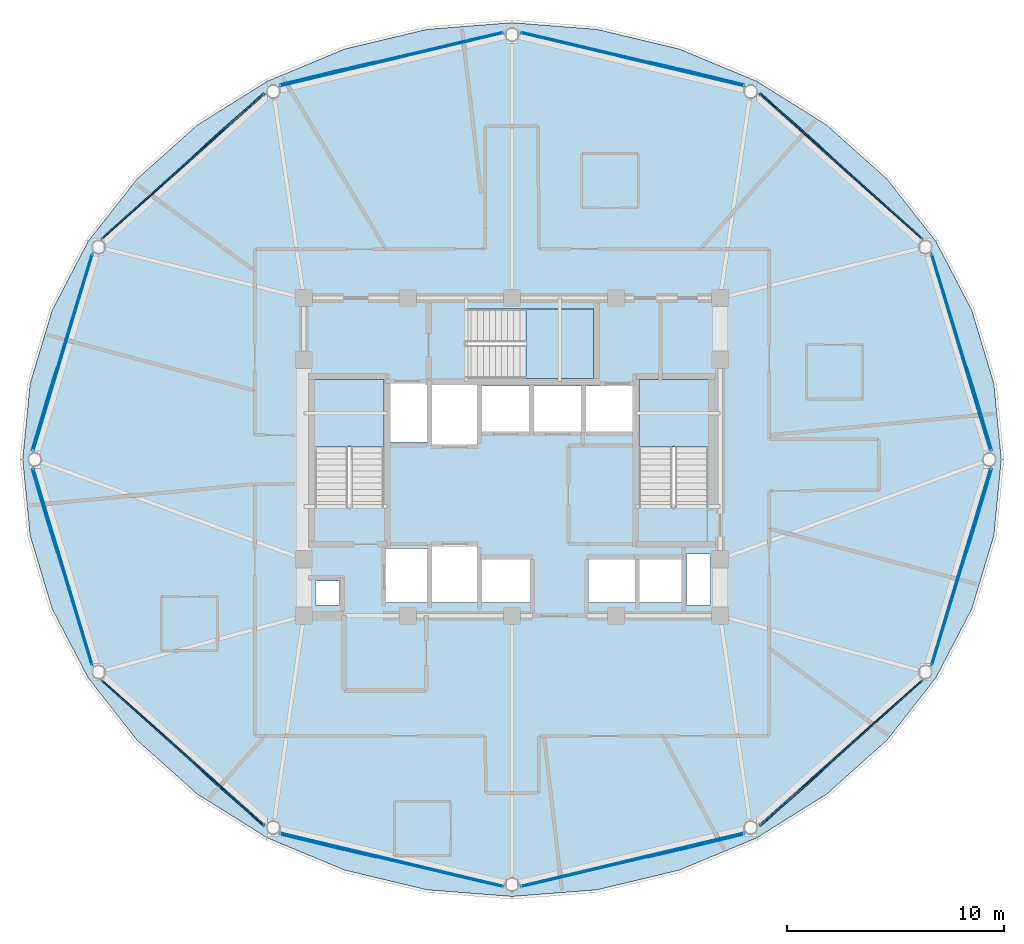
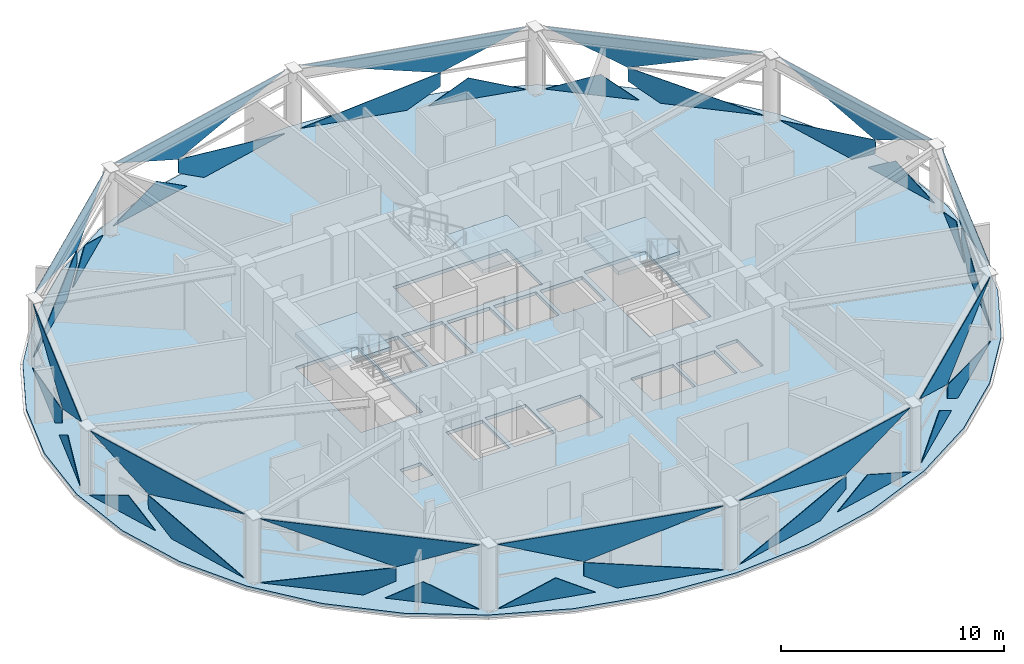
# One storey, part 20 of 28: 36 plates, 4 slabs, 15 elements without a shape of their own.
"""IFC4 building model written with IfcOpenShell, lengths in metres."""

from ifc_helpers import new_model, si_unit, direction, frame, origin, place, context, subcontext, project, spatial, polyline, outline, extrude, material, layer, layer_set, type_object, element, aggregate, save


model = new_model("IFC4")

# Units and contexts
model_context = context("Model", 3, precision=1e-05, world=origin(), true_north=direction((0.0, 1.0)))
body_context = subcontext(model_context, "Body", "Model", "MODEL_VIEW")
ifc_project = project(units=[si_unit("LENGTHUNIT", "METRE"), si_unit("AREAUNIT", "SQUARE_METRE"), si_unit("VOLUMEUNIT", "CUBIC_METRE"), si_unit("PLANEANGLEUNIT", "RADIAN"), si_unit("MASSUNIT", "GRAM", prefix="KILO")], contexts=[model_context])

# Site, building, storey
site_placement = place(None, origin())
site = spatial("IfcSite", under=ifc_project, at=site_placement, CompositionType="ELEMENT")
building_placement = place(site_placement, origin())
building = spatial("IfcBuilding", under=site, at=building_placement, Name="Vantalir Tower", CompositionType="ELEMENT")
storey_placement = place(building_placement, frame((0.0, 0.0, 223.64990234375)))
storey = spatial("IfcBuildingStorey", under=building, at=storey_placement, Name="L56", CompositionType="ELEMENT", Elevation=223.64990234375)

# Curtain wall, plates
ifc_material_1 = material(Name="Champagne-silver PVDF aluminium and double-silver Low-E glass", Category="aluminium")
ifc_layer_1 = layer(ifc_material_1, 0.2099609375)
ifc_layer_set_1 = layer_set([ifc_layer_1], Name="Champagne-silver PVDF aluminium and double-silver Low-E glass")
curtain_wall_type = type_object("IfcCurtainWallType", Name="CW-DIAMOND-Z3", PredefinedType="USERDEFINED", material=ifc_layer_set_1)
curtain_wall_1_placement = place(storey_placement, origin())
curtain_wall_1 = element("IfcCurtainWall", 1, at=curtain_wall_1_placement, inside=storey, type_object=curtain_wall_type, Name="L56 Quilted Pyramid-Diamond Curtain Wall S01", ObjectType="UNITISED CURTAIN WALL", PredefinedType="USERDEFINED")
ifc_material_2 = material(Name="Double-silver Low-E acoustic glass IGU", Category="glass")
ifc_layer_2 = layer(ifc_material_2, 0.031982421875)
ifc_layer_set_2 = layer_set([ifc_layer_2], Name="Double-silver Low-E acoustic glass IGU")
plate_type = type_object("IfcPlateType", Name="CWP-IGU-32", PredefinedType="CURTAIN_PANEL", material=ifc_layer_set_2)
plate_1_placement = place(storey_placement, frame((52.13330078125, 30.2197265625, 0.046875), z_axis=(-0.957549259228, -0.28794301312, 0.013719961632), x_axis=(-0.287970118919, 0.957639394872, -8.812e-08)))
plate_1 = element("IfcPlate", 2, at=plate_1_placement, type_object=plate_type, Name="CW-L56-S01 Pyramid Diamond Facet 1L", PredefinedType="CURTAIN_PANEL", context=body_context, shape_type="SweptSolid", body=[
    extrude(outline(polyline([(0.0, 0.0), (4.455085791088391, 6.938893903907228e-18), (-1.4210175408101609, -1.7257482450597528), (-1.4210108514881088, -0.9847113069060753), (0.0, 0.0)])), origin(), (0.0, 0.0, -1.0), 0.031982421875),
])
plate_2_placement = place(storey_placement, frame((53.615234375, 25.417236328125, 0.046630859375), z_axis=(-0.957539275138, -0.287976355305, 0.013716973228), x_axis=(-0.288004240632, 0.957629131639, -6.0126146e-05)))
plate_2 = element("IfcPlate", 3, at=plate_2_placement, type_object=plate_type, Name="CW-L56-S01 Pyramid Diamond Facet 1L Infill Light", PredefinedType="CURTAIN_PANEL", context=body_context, shape_type="SweptSolid", body=[
    extrude(outline(polyline([(0.0, 0.0), (4.060473523525598, -1.7889335846010823e-18), (2.401337993481298, -1.1496666108302322), (0.0, 0.0)])), origin(), (0.0, 0.0, -1.0), 0.031982421875),
])
plate_3_placement = place(storey_placement, frame((50.850341796875, 34.486083984375, 3.5234375), z_axis=(0.95754759565, 0.287948828874, 0.013714007971), x_axis=(0.287976248669, -0.957637551237, -2.5751252e-05)))
plate_3 = element("IfcPlate", 4, at=plate_3_placement, type_object=plate_type, Name="CW-L56-S01 Pyramid Diamond Facet 2U", PredefinedType="CURTAIN_PANEL", context=body_context, shape_type="SweptSolid", body=[
    extrude(outline(polyline([(0.0, 0.0), (9.48072843506402, 5.366800753803247e-18), (5.876147771796704, 1.725841061096488), (0.0, 0.0)])), origin(), (0.0, 0.0, -1.0), 0.031982421875),
])
aggregate(curtain_wall_1, [plate_1, plate_2, plate_3])

curtain_wall_2_placement = place(storey_placement, origin())
curtain_wall_2 = element("IfcCurtainWall", 5, at=curtain_wall_2_placement, inside=storey, type_object=curtain_wall_type, Name="L56 Quilted Pyramid-Diamond Curtain Wall S02", ObjectType="UNITISED CURTAIN WALL", PredefinedType="USERDEFINED")
plate_4_placement = place(storey_placement, frame((50.410888671875, 35.17578125, 0.046630859375), z_axis=(-0.665239027043, -0.746500566399, 0.013926279678), x_axis=(-0.746572486024, 0.665304081187, 5.1644349e-05)))
plate_4 = element("IfcPlate", 6, at=plate_4_placement, type_object=plate_type, Name="CW-L56-S02 Pyramid Diamond Facet 1L", PredefinedType="CURTAIN_PANEL", context=body_context, shape_type="SweptSolid", body=[
    extrude(outline(polyline([(0.0, 0.0), (4.725364533238083, -4.716279450311944e-18), (6.21536592625353, -0.979998657852049), (6.21549861045177, -1.725920495140374), (0.0, 0.0)])), origin(), (0.0, 0.0, -1.0), 0.031982421875),
])
plate_5_placement = place(storey_placement, frame((46.160400390625, 39.011962890625, 0.04638671875), z_axis=(-0.665256465649, -0.746487542943, 0.013790690437), x_axis=(-0.746558537743, 0.665319734957, 0.0)))
plate_5 = element("IfcPlate", 7, at=plate_5_placement, type_object=plate_type, Name="CW-L56-S02 Pyramid Diamond Facet 1L Infill Light", PredefinedType="CURTAIN_PANEL", context=body_context, shape_type="SweptSolid", body=[
    extrude(outline(polyline([(0.0, 0.0), (4.309488129323811, -3.469446951953614e-18), (1.7552496616833824, -1.154406654562577), (0.0, 0.0)])), origin(), (0.0, 0.0, -1.0), 0.031982421875),
])
plate_6_placement = place(storey_placement, frame((42.919189453125, 41.852294921875, 3.523193359375), z_axis=(0.665258273059, 0.746485142811, 0.013833354221), x_axis=(0.746556353236, -0.66532218575, 2.4328891e-05)))
plate_6 = element("IfcPlate", 8, at=plate_6_placement, type_object=plate_type, Name="CW-L56-S02 Pyramid Diamond Facet 2U", PredefinedType="CURTAIN_PANEL", context=body_context, shape_type="SweptSolid", body=[
    extrude(outline(polyline([(0.0, 0.0), (10.035008323591855, 7.968885967768458e-18), (3.819556274349777, 1.7260881656797926), (0.0, 0.0)])), origin(), (0.0, 0.0, -1.0), 0.031982421875),
])
aggregate(curtain_wall_2, [plate_4, plate_5, plate_6])

curtain_wall_3_placement = place(storey_placement, origin())
curtain_wall_3 = element("IfcCurtainWall", 9, at=curtain_wall_3_placement, inside=storey, type_object=curtain_wall_type, Name="L56 Quilted Pyramid-Diamond Curtain Wall S03", ObjectType="UNITISED CURTAIN WALL", PredefinedType="USERDEFINED")
plate_7_placement = place(storey_placement, frame((36.759765625, 43.530029296875, 0.046630859375), z_axis=(-0.232236849002, -0.972561814595, 0.013768179134), x_axis=(-0.972654008864, 0.232258862137, -1.2864e-07)))
plate_7 = element("IfcPlate", 10, at=plate_7_placement, type_object=plate_type, Name="CW-L56-S03 Pyramid Diamond Facet 1L", PredefinedType="CURTAIN_PANEL", context=body_context, shape_type="SweptSolid", body=[
    extrude(outline(polyline([(0.0, 0.0), (4.982681088008925, 1.734723475976807e-18), (-1.5648598381094934, -1.7264818041514396), (-1.564809955486669, -0.9815375061146213), (0.0, 0.0)])), origin(), (0.0, 0.0, -1.0), 0.031982421875),
])
plate_8_placement = place(storey_placement, frame((42.197021484375, 42.268798828125, 0.04638671875), z_axis=(-0.23220338796, -0.9725697972, 0.013768667146), x_axis=(-0.97266199835, 0.232225401207, 0.0)))
plate_8 = element("IfcPlate", 11, at=plate_8_placement, type_object=plate_type, Name="CW-L56-S03 Pyramid Diamond Facet 1L Infill Light", PredefinedType="CURTAIN_PANEL", context=body_context, shape_type="SweptSolid", body=[
    extrude(outline(polyline([(0.0, 0.0), (4.546910878987019, -1.734723475976807e-18), (2.6980729236971404, -1.1595337433320787), (0.0, 0.0)])), origin(), (0.0, 0.0, -1.0), 0.031982421875),
])
plate_9_placement = place(storey_placement, frame((31.913330078125, 44.687255859375, 3.523681640625), z_axis=(0.23223400576, 0.972562293746, 0.013782284014), x_axis=(0.972654750392, -0.232255755594, -2.3110025e-05)))
plate_9 = element("IfcPlate", 12, at=plate_9_placement, type_object=plate_type, Name="CW-L56-S03 Pyramid Diamond Facet 2U", PredefinedType="CURTAIN_PANEL", context=body_context, shape_type="SweptSolid", body=[
    extrude(outline(polyline([(0.0, 0.0), (10.56427331575007, -5.068645156369733e-18), (6.547580679232888, 1.7265751761380799), (0.0, 0.0)])), origin(), (0.0, 0.0, -1.0), 0.031982421875),
])
aggregate(curtain_wall_3, [plate_7, plate_8, plate_9])

curtain_wall_4_placement = place(storey_placement, origin())
curtain_wall_4 = element("IfcCurtainWall", 13, at=curtain_wall_4_placement, inside=storey, type_object=curtain_wall_type, Name="L56 Quilted Pyramid-Diamond Curtain Wall S04", ObjectType="UNITISED CURTAIN WALL", PredefinedType="USERDEFINED")
plate_10_placement = place(storey_placement, frame((31.086669921875, 44.687255859375, 0.046630859375), z_axis=(0.232260585821, -0.972556298401, 0.013757423975), x_axis=(-0.972648348217, -0.232282566524, 1.50681e-07)))
plate_10 = element("IfcPlate", 14, at=plate_10_placement, type_object=plate_type, Name="CW-L56-S04 Pyramid Diamond Facet 1L", PredefinedType="CURTAIN_PANEL", context=body_context, shape_type="SweptSolid", body=[
    extrude(outline(polyline([(0.0, 0.0), (4.982206159443448, -1.734723475976807e-18), (6.546778344908111, -0.9815372165805277), (6.54682799285325, -1.7264815140890901), (0.0, 0.0)])), origin(), (0.0, 0.0, -1.0), 0.031982421875),
])
plate_11_placement = place(storey_placement, frame((25.226318359375, 43.32470703125, 0.04638671875), z_axis=(0.232215451979, -0.972566635179, 0.01378854589), x_axis=(-0.972659102493, -0.232237529992, 0.0)))
plate_11 = element("IfcPlate", 15, at=plate_11_placement, type_object=plate_type, Name="CW-L56-S04 Pyramid Diamond Facet 1L Infill Light", PredefinedType="CURTAIN_PANEL", context=body_context, shape_type="SweptSolid", body=[
    extrude(outline(polyline([(0.0, 0.0), (4.546673413032317, 0.0), (1.848837756064453, -1.159534060990327), (0.0, 0.0)])), origin(), (0.0, 0.0, -1.0), 0.031982421875),
])
plate_12_placement = place(storey_placement, frame((20.812255859375, 42.233642578125, 3.5234375), z_axis=(-0.232254942621, 0.972557536325, 0.013765179482), x_axis=(0.972649763247, 0.232276640068, 2.3112103e-05)))
plate_12 = element("IfcPlate", 16, at=plate_12_placement, type_object=plate_type, Name="CW-L56-S04 Pyramid Diamond Facet 2U", PredefinedType="CURTAIN_PANEL", context=body_context, shape_type="SweptSolid", body=[
    extrude(outline(polyline([(0.0, 0.0), (10.563323460030409, 5.095750210681871e-18), (4.016455679625787, 1.7265747721621998), (0.0, 0.0)])), origin(), (0.0, 0.0, -1.0), 0.031982421875),
])
aggregate(curtain_wall_4, [plate_10, plate_11, plate_12])

curtain_wall_5_placement = place(storey_placement, origin())
curtain_wall_5 = element("IfcCurtainWall", 17, at=curtain_wall_5_placement, inside=storey, type_object=curtain_wall_type, Name="L56 Quilted Pyramid-Diamond Curtain Wall S05", ObjectType="UNITISED CURTAIN WALL", PredefinedType="USERDEFINED")
plate_13_placement = place(storey_placement, frame((16.1171875, 38.319580078125, 0.046875), z_axis=(0.665198217346, -0.746539520841, 0.013786785772), x_axis=(-0.746610002885, -0.665261979143, -5.1946189e-05)))
plate_13 = element("IfcPlate", 18, at=plate_13_placement, type_object=plate_type, Name="CW-L56-S05 Pyramid Diamond Facet 1L", PredefinedType="CURTAIN_PANEL", context=body_context, shape_type="SweptSolid", body=[
    extrude(outline(polyline([(0.0, 0.0), (4.725546803971078, -1.1872013788716274e-17), (-1.4904977959839736, -1.7259166897748341), (-1.4903654720437784, -0.9799948586575861), (0.0, 0.0)])), origin(), (0.0, 0.0, -1.0), 0.031982421875),
])
plate_14_placement = place(storey_placement, frame((20.057861328125, 41.879150390625, 0.04638671875), z_axis=(0.66520043494, -0.746537954063, 0.013764610401), x_axis=(-0.746608685333, -0.66526345983, 0.0)))
plate_14 = element("IfcPlate", 19, at=plate_14_placement, type_object=plate_type, Name="CW-L56-S05 Pyramid Diamond Facet 1L Infill Light", PredefinedType="CURTAIN_PANEL", context=body_context, shape_type="SweptSolid", body=[
    extrude(outline(polyline([(0.0, 0.0), (4.3098526721034, 0.0), (2.554421937899786, -1.154406239680626), (0.0, 0.0)])), origin(), (0.0, 0.0, -1.0), 0.031982421875),
])
plate_15_placement = place(storey_placement, frame((12.589111328125, 35.17578125, 3.5234375), z_axis=(-0.665210395641, 0.746528717096, 0.013784196817), x_axis=(0.746599425628, 0.665273851178, -2.4327124e-05)))
plate_15 = element("IfcPlate", 20, at=plate_15_placement, type_object=plate_type, Name="CW-L56-S05 Pyramid Diamond Facet 2U", PredefinedType="CURTAIN_PANEL", context=body_context, shape_type="SweptSolid", body=[
    extrude(outline(polyline([(0.0, 0.0), (10.035737403562766, -8.51098705401121e-18), (6.2159973130460155, 1.7260869915024741), (0.0, 0.0)])), origin(), (0.0, 0.0, -1.0), 0.031982421875),
])
aggregate(curtain_wall_5, [plate_13, plate_14, plate_15])

curtain_wall_6_placement = place(storey_placement, origin())
curtain_wall_6 = element("IfcCurtainWall", 21, at=curtain_wall_6_placement, inside=storey, type_object=curtain_wall_type, Name="L56 Quilted Pyramid-Diamond Curtain Wall S06", ObjectType="UNITISED CURTAIN WALL", PredefinedType="USERDEFINED")
plate_16_placement = place(storey_placement, frame((12.149658203125, 34.486083984375, 0.046875), z_axis=(0.957549259228, -0.28794301312, 0.013719961632), x_axis=(-0.287970118919, -0.957639394872, 8.812e-08)))
plate_16 = element("IfcPlate", 22, at=plate_16_placement, type_object=plate_type, Name="CW-L56-S06 Pyramid Diamond Facet 1L", PredefinedType="CURTAIN_PANEL", context=body_context, shape_type="SweptSolid", body=[
    extrude(outline(polyline([(0.0, 0.0), (4.455085791088391, -6.938893903907228e-18), (5.876096642576499, -0.9847113069060753), (5.876103331898551, -1.7257482450597528), (0.0, 0.0)])), origin(), (0.0, 0.0, -1.0), 0.031982421875),
])
plate_17_placement = place(storey_placement, frame((10.55419921875, 29.3056640625, 0.04638671875), z_axis=(0.957539275138, -0.287976355305, 0.013716973228), x_axis=(-0.288004240632, -0.957629131639, 6.0126146e-05)))
plate_17 = element("IfcPlate", 23, at=plate_17_placement, type_object=plate_type, Name="CW-L56-S06 Pyramid Diamond Facet 1L Infill Light", PredefinedType="CURTAIN_PANEL", context=body_context, shape_type="SweptSolid", body=[
    extrude(outline(polyline([(0.0, 0.0), (4.060473523525598, 1.7889335846010823e-18), (1.6591355300442994, -1.1496666108302325), (0.0, 0.0)])), origin(), (0.0, 0.0, -1.0), 0.031982421875),
])
plate_18_placement = place(storey_placement, frame((9.41943359375, 25.406982421875, 3.523193359375), z_axis=(-0.95754759565, 0.287948828874, 0.013714007971), x_axis=(0.287976248669, 0.957637551237, 2.5751252e-05)))
plate_18 = element("IfcPlate", 24, at=plate_18_placement, type_object=plate_type, Name="CW-L56-S06 Pyramid Diamond Facet 2U", PredefinedType="CURTAIN_PANEL", context=body_context, shape_type="SweptSolid", body=[
    extrude(outline(polyline([(0.0, 0.0), (9.48072843506402, -5.366800753803247e-18), (3.6045806632673156, 1.7258410610964883), (0.0, 0.0)])), origin(), (0.0, 0.0, -1.0), 0.031982421875),
])
aggregate(curtain_wall_6, [plate_16, plate_17, plate_18])

curtain_wall_7_placement = place(storey_placement, origin())
curtain_wall_7 = element("IfcCurtainWall", 25, at=curtain_wall_7_placement, inside=storey, type_object=curtain_wall_type, Name="L56 Quilted Pyramid-Diamond Curtain Wall S07", ObjectType="UNITISED CURTAIN WALL", PredefinedType="USERDEFINED")
plate_19_placement = place(storey_placement, frame((10.86669921875, 19.7802734375, 0.046875), z_axis=(0.957549259228, 0.28794301312, 0.013719961632), x_axis=(0.287970118919, -0.957639394872, -8.812e-08)))
plate_19 = element("IfcPlate", 26, at=plate_19_placement, type_object=plate_type, Name="CW-L56-S07 Pyramid Diamond Facet 1L", PredefinedType="CURTAIN_PANEL", context=body_context, shape_type="SweptSolid", body=[
    extrude(outline(polyline([(0.0, 0.0), (4.455085791088391, 6.938893903907228e-18), (-1.4210175408101609, -1.7257482450597528), (-1.4210108514881088, -0.9847113069060753), (0.0, 0.0)])), origin(), (0.0, 0.0, -1.0), 0.031982421875),
])
plate_20_placement = place(storey_placement, frame((9.384765625, 24.582763671875, 0.046630859375), z_axis=(0.957539275138, 0.287976355305, 0.013716973228), x_axis=(0.288004240632, -0.957629131639, -6.0126146e-05)))
plate_20 = element("IfcPlate", 27, at=plate_20_placement, type_object=plate_type, Name="CW-L56-S07 Pyramid Diamond Facet 1L Infill Light", PredefinedType="CURTAIN_PANEL", context=body_context, shape_type="SweptSolid", body=[
    extrude(outline(polyline([(0.0, 0.0), (4.060473523525598, -1.7889335846010823e-18), (2.401337993481298, -1.1496666108302322), (0.0, 0.0)])), origin(), (0.0, 0.0, -1.0), 0.031982421875),
])
plate_21_placement = place(storey_placement, frame((12.149658203125, 15.513916015625, 3.5234375), z_axis=(-0.95754759565, -0.287948828874, 0.013714007971), x_axis=(-0.287976248669, 0.957637551237, -2.5751252e-05)))
plate_21 = element("IfcPlate", 28, at=plate_21_placement, type_object=plate_type, Name="CW-L56-S07 Pyramid Diamond Facet 2U", PredefinedType="CURTAIN_PANEL", context=body_context, shape_type="SweptSolid", body=[
    extrude(outline(polyline([(0.0, 0.0), (9.48072843506402, 5.366800753803247e-18), (5.876147771796704, 1.725841061096488), (0.0, 0.0)])), origin(), (0.0, 0.0, -1.0), 0.031982421875),
])
aggregate(curtain_wall_7, [plate_19, plate_20, plate_21])

curtain_wall_8_placement = place(storey_placement, origin())
curtain_wall_8 = element("IfcCurtainWall", 29, at=curtain_wall_8_placement, inside=storey, type_object=curtain_wall_type, Name="L56 Quilted Pyramid-Diamond Curtain Wall S08", ObjectType="UNITISED CURTAIN WALL", PredefinedType="USERDEFINED")
plate_22_placement = place(storey_placement, frame((12.589111328125, 14.82421875, 0.046630859375), z_axis=(0.665239027043, 0.746500566399, 0.013926279678), x_axis=(0.746572486024, -0.665304081187, 5.1644349e-05)))
plate_22 = element("IfcPlate", 30, at=plate_22_placement, type_object=plate_type, Name="CW-L56-S08 Pyramid Diamond Facet 1L", PredefinedType="CURTAIN_PANEL", context=body_context, shape_type="SweptSolid", body=[
    extrude(outline(polyline([(0.0, 0.0), (4.725364533238083, -4.716279450311944e-18), (6.21536592625353, -0.979998657852049), (6.21549861045177, -1.725920495140374), (0.0, 0.0)])), origin(), (0.0, 0.0, -1.0), 0.031982421875),
])
plate_23_placement = place(storey_placement, frame((16.839599609375, 10.988037109375, 0.04638671875), z_axis=(0.665256465649, 0.746487542943, 0.013790690437), x_axis=(0.746558537743, -0.665319734957, 0.0)))
plate_23 = element("IfcPlate", 31, at=plate_23_placement, type_object=plate_type, Name="CW-L56-S08 Pyramid Diamond Facet 1L Infill Light", PredefinedType="CURTAIN_PANEL", context=body_context, shape_type="SweptSolid", body=[
    extrude(outline(polyline([(0.0, 0.0), (4.309488129323811, -3.469446951953614e-18), (1.7552496616833824, -1.154406654562577), (0.0, 0.0)])), origin(), (0.0, 0.0, -1.0), 0.031982421875),
])
plate_24_placement = place(storey_placement, frame((20.080810546875, 8.147705078125, 3.523193359375), z_axis=(-0.665258273059, -0.746485142811, 0.013833354221), x_axis=(-0.746556353236, 0.66532218575, 2.4328891e-05)))
plate_24 = element("IfcPlate", 32, at=plate_24_placement, type_object=plate_type, Name="CW-L56-S08 Pyramid Diamond Facet 2U", PredefinedType="CURTAIN_PANEL", context=body_context, shape_type="SweptSolid", body=[
    extrude(outline(polyline([(0.0, 0.0), (10.035008323591855, 7.968885967768458e-18), (3.819556274349777, 1.7260881656797926), (0.0, 0.0)])), origin(), (0.0, 0.0, -1.0), 0.031982421875),
])
aggregate(curtain_wall_8, [plate_22, plate_23, plate_24])

curtain_wall_9_placement = place(storey_placement, origin())
curtain_wall_9 = element("IfcCurtainWall", 33, at=curtain_wall_9_placement, inside=storey, type_object=curtain_wall_type, Name="L56 Quilted Pyramid-Diamond Curtain Wall S09", ObjectType="UNITISED CURTAIN WALL", PredefinedType="USERDEFINED")
plate_25_placement = place(storey_placement, frame((26.240234375, 6.469970703125, 0.046630859375), z_axis=(0.232236849002, 0.972561814595, 0.013768179134), x_axis=(0.972654008864, -0.232258862137, -1.2864e-07)))
plate_25 = element("IfcPlate", 34, at=plate_25_placement, type_object=plate_type, Name="CW-L56-S09 Pyramid Diamond Facet 1L", PredefinedType="CURTAIN_PANEL", context=body_context, shape_type="SweptSolid", body=[
    extrude(outline(polyline([(0.0, 0.0), (4.982681088008925, 1.734723475976807e-18), (-1.5648598381094934, -1.7264818041514396), (-1.564809955486669, -0.9815375061146213), (0.0, 0.0)])), origin(), (0.0, 0.0, -1.0), 0.031982421875),
])
plate_26_placement = place(storey_placement, frame((20.802978515625, 7.731201171875, 0.04638671875), z_axis=(0.23220338796, 0.9725697972, 0.013768667146), x_axis=(0.97266199835, -0.232225401207, 0.0)))
plate_26 = element("IfcPlate", 35, at=plate_26_placement, type_object=plate_type, Name="CW-L56-S09 Pyramid Diamond Facet 1L Infill Light", PredefinedType="CURTAIN_PANEL", context=body_context, shape_type="SweptSolid", body=[
    extrude(outline(polyline([(0.0, 0.0), (4.546910878987019, -1.734723475976807e-18), (2.6980729236971404, -1.1595337433320787), (0.0, 0.0)])), origin(), (0.0, 0.0, -1.0), 0.031982421875),
])
plate_27_placement = place(storey_placement, frame((31.086669921875, 5.312744140625, 3.523681640625), z_axis=(-0.23223400576, -0.972562293746, 0.013782284014), x_axis=(-0.972654750392, 0.232255755594, -2.3110025e-05)))
plate_27 = element("IfcPlate", 36, at=plate_27_placement, type_object=plate_type, Name="CW-L56-S09 Pyramid Diamond Facet 2U", PredefinedType="CURTAIN_PANEL", context=body_context, shape_type="SweptSolid", body=[
    extrude(outline(polyline([(0.0, 0.0), (10.56427331575007, -5.068645156369733e-18), (6.547580679232888, 1.7265751761380799), (0.0, 0.0)])), origin(), (0.0, 0.0, -1.0), 0.031982421875),
])
aggregate(curtain_wall_9, [plate_25, plate_26, plate_27])

curtain_wall_10_placement = place(storey_placement, origin())
curtain_wall_10 = element("IfcCurtainWall", 37, at=curtain_wall_10_placement, inside=storey, type_object=curtain_wall_type, Name="L56 Quilted Pyramid-Diamond Curtain Wall S10", ObjectType="UNITISED CURTAIN WALL", PredefinedType="USERDEFINED")
plate_28_placement = place(storey_placement, frame((31.913330078125, 5.312744140625, 0.046630859375), z_axis=(-0.232236849002, 0.972561814595, 0.013768179134), x_axis=(0.972654008864, 0.232258862137, 1.2864e-07)))
plate_28 = element("IfcPlate", 38, at=plate_28_placement, type_object=plate_type, Name="CW-L56-S10 Pyramid Diamond Facet 1L", PredefinedType="CURTAIN_PANEL", context=body_context, shape_type="SweptSolid", body=[
    extrude(outline(polyline([(0.0, 0.0), (4.982681088008925, -1.734723475976807e-18), (6.547491043495595, -0.9815375061146213), (6.547540926118419, -1.7264818041514396), (0.0, 0.0)])), origin(), (0.0, 0.0, -1.0), 0.031982421875),
])
plate_29_placement = place(storey_placement, frame((37.7744140625, 6.67529296875, 0.04638671875), z_axis=(-0.23220338796, 0.9725697972, 0.013768667146), x_axis=(0.97266199835, 0.232225401207, 0.0)))
plate_29 = element("IfcPlate", 39, at=plate_29_placement, type_object=plate_type, Name="CW-L56-S10 Pyramid Diamond Facet 1L Infill Light", PredefinedType="CURTAIN_PANEL", context=body_context, shape_type="SweptSolid", body=[
    extrude(outline(polyline([(0.0, 0.0), (4.546910878987019, 1.734723475976807e-18), (1.8488379552898784, -1.1595337433320787), (0.0, 0.0)])), origin(), (0.0, 0.0, -1.0), 0.031982421875),
])
plate_30_placement = place(storey_placement, frame((42.188720703125, 7.766357421875, 3.5234375), z_axis=(0.23223400576, -0.972562293746, 0.013782284014), x_axis=(-0.972654750392, -0.232255755594, 2.3110025e-05)))
plate_30 = element("IfcPlate", 40, at=plate_30_placement, type_object=plate_type, Name="CW-L56-S10 Pyramid Diamond Facet 2U", PredefinedType="CURTAIN_PANEL", context=body_context, shape_type="SweptSolid", body=[
    extrude(outline(polyline([(0.0, 0.0), (10.56427331575007, 5.068645156369733e-18), (4.01669263651718, 1.7265751761380799), (0.0, 0.0)])), origin(), (0.0, 0.0, -1.0), 0.031982421875),
])
aggregate(curtain_wall_10, [plate_28, plate_29, plate_30])

curtain_wall_11_placement = place(storey_placement, origin())
curtain_wall_11 = element("IfcCurtainWall", 41, at=curtain_wall_11_placement, inside=storey, type_object=curtain_wall_type, Name="L56 Quilted Pyramid-Diamond Curtain Wall S11", ObjectType="UNITISED CURTAIN WALL", PredefinedType="USERDEFINED")
plate_31_placement = place(storey_placement, frame((46.883056640625, 11.680419921875, 0.046875), z_axis=(-0.665239027043, 0.746500566399, 0.013926279678), x_axis=(0.746572486024, 0.665304081187, -5.1644349e-05)))
plate_31 = element("IfcPlate", 42, at=plate_31_placement, type_object=plate_type, Name="CW-L56-S11 Pyramid Diamond Facet 1L", PredefinedType="CURTAIN_PANEL", context=body_context, shape_type="SweptSolid", body=[
    extrude(outline(polyline([(0.0, 0.0), (4.725364533238083, 4.716279450311944e-18), (-1.4901340772136873, -1.725920495140374), (-1.4900013930154472, -0.9799986578520491), (0.0, 0.0)])), origin(), (0.0, 0.0, -1.0), 0.031982421875),
])
plate_32_placement = place(storey_placement, frame((42.943115234375, 8.120849609375, 0.04638671875), z_axis=(-0.665256465649, 0.746487542943, 0.013790690437), x_axis=(0.746558537743, 0.665319734957, 0.0)))
plate_32 = element("IfcPlate", 43, at=plate_32_placement, type_object=plate_type, Name="CW-L56-S11 Pyramid Diamond Facet 1L Infill Light", PredefinedType="CURTAIN_PANEL", context=body_context, shape_type="SweptSolid", body=[
    extrude(outline(polyline([(0.0, 0.0), (4.309488129323811, 3.469446951953614e-18), (2.5542384676404284, -1.154406654562577), (0.0, 0.0)])), origin(), (0.0, 0.0, -1.0), 0.031982421875),
])
plate_33_placement = place(storey_placement, frame((50.410888671875, 14.82421875, 3.5234375), z_axis=(0.665258273059, -0.746485142811, 0.013833354221), x_axis=(-0.746556353236, -0.66532218575, -2.4328891e-05)))
plate_33 = element("IfcPlate", 44, at=plate_33_placement, type_object=plate_type, Name="CW-L56-S11 Pyramid Diamond Facet 2U", PredefinedType="CURTAIN_PANEL", context=body_context, shape_type="SweptSolid", body=[
    extrude(outline(polyline([(0.0, 0.0), (10.035008323591855, -7.968885967768458e-18), (6.215452049242079, 1.7260881656797926), (0.0, 0.0)])), origin(), (0.0, 0.0, -1.0), 0.031982421875),
])
aggregate(curtain_wall_11, [plate_31, plate_32, plate_33])

curtain_wall_12_placement = place(storey_placement, origin())
curtain_wall_12 = element("IfcCurtainWall", 45, at=curtain_wall_12_placement, inside=storey, type_object=curtain_wall_type, Name="L56 Quilted Pyramid-Diamond Curtain Wall S12", ObjectType="UNITISED CURTAIN WALL", PredefinedType="USERDEFINED")
plate_34_placement = place(storey_placement, frame((50.850341796875, 15.513916015625, 0.046875), z_axis=(-0.957549259228, 0.28794301312, 0.013719961632), x_axis=(0.287970118919, 0.957639394872, 8.812e-08)))
plate_34 = element("IfcPlate", 46, at=plate_34_placement, type_object=plate_type, Name="CW-L56-S12 Pyramid Diamond Facet 1L", PredefinedType="CURTAIN_PANEL", context=body_context, shape_type="SweptSolid", body=[
    extrude(outline(polyline([(0.0, 0.0), (4.455085791088391, -6.938893903907228e-18), (5.876096642576499, -0.9847113069060753), (5.876103331898551, -1.7257482450597528), (0.0, 0.0)])), origin(), (0.0, 0.0, -1.0), 0.031982421875),
])
plate_35_placement = place(storey_placement, frame((52.44580078125, 20.6943359375, 0.04638671875), z_axis=(-0.957539275138, 0.287976355305, 0.013716973228), x_axis=(0.288004240632, 0.957629131639, 6.0126146e-05)))
plate_35 = element("IfcPlate", 47, at=plate_35_placement, type_object=plate_type, Name="CW-L56-S12 Pyramid Diamond Facet 1L Infill Light", PredefinedType="CURTAIN_PANEL", context=body_context, shape_type="SweptSolid", body=[
    extrude(outline(polyline([(0.0, 0.0), (4.060473523525598, 1.7889335846010823e-18), (1.6591355300442994, -1.1496666108302325), (0.0, 0.0)])), origin(), (0.0, 0.0, -1.0), 0.031982421875),
])
plate_36_placement = place(storey_placement, frame((53.58056640625, 24.593017578125, 3.523193359375), z_axis=(0.95754759565, -0.287948828874, 0.013714007971), x_axis=(-0.287976248669, -0.957637551237, 2.5751252e-05)))
plate_36 = element("IfcPlate", 48, at=plate_36_placement, type_object=plate_type, Name="CW-L56-S12 Pyramid Diamond Facet 2U", PredefinedType="CURTAIN_PANEL", context=body_context, shape_type="SweptSolid", body=[
    extrude(outline(polyline([(0.0, 0.0), (9.48072843506402, -5.366800753803247e-18), (3.6045806632673156, 1.7258410610964883), (0.0, 0.0)])), origin(), (0.0, 0.0, -1.0), 0.031982421875),
])
aggregate(curtain_wall_12, [plate_34, plate_35, plate_36])

# Stair, slab
ifc_material_3 = material(Name="Concrete C40/50", Category="concrete")
stair_type = type_object("IfcStairType", Name="STR-CORE-1450", PredefinedType="HALF_TURN_STAIR", material=ifc_material_3)
stair_1_placement = place(storey_placement, origin())
stair_1 = element("IfcStair", 49, at=stair_1_placement, inside=storey, type_object=stair_type, Name="L56 Core Exit Stair 1", PredefinedType="HALF_TURN_STAIR")
ifc_layer_3 = layer(ifc_material_3, 0.199951171875)
ifc_layer_set_3 = layer_set([ifc_layer_3], Name="Concrete C40/50")
slab_type_1 = type_object("IfcSlabType", Name="SL-LAND-200", PredefinedType="LANDING", material=ifc_layer_set_3)
slab_1_placement = place(storey_placement, frame((0.0, 0.0, 1.675048828125)))
slab_1 = element("IfcSlab", 50, at=slab_1_placement, type_object=slab_type_1, Name="ST1 landing 1", PredefinedType="LANDING", context=body_context, shape_type="SweptSolid", body=[
    extrude(outline(polyline([(25.60009765625, 25.590087890625), (25.60009765625, 28.699951171875), (22.39990234375, 28.699951171875), (22.39990234375, 25.590087890625), (25.60009765625, 25.590087890625)])), origin(), (0.0, 0.0, 1.0), 0.199951171875),
])
aggregate(stair_1, [slab_1])

stair_2_placement = place(storey_placement, origin())
stair_2 = element("IfcStair", 51, at=stair_2_placement, inside=storey, type_object=stair_type, Name="L56 Core Exit Stair 2", PredefinedType="HALF_TURN_STAIR")
slab_2_placement = place(storey_placement, frame((0.0, 0.0, 1.675048828125)))
slab_2 = element("IfcSlab", 52, at=slab_2_placement, type_object=slab_type_1, Name="ST2 landing 1", PredefinedType="LANDING", context=body_context, shape_type="SweptSolid", body=[
    extrude(outline(polyline([(40.550048828125, 25.590087890625), (40.550048828125, 28.699951171875), (37.35009765625, 28.699951171875), (37.35009765625, 25.590087890625), (40.550048828125, 25.590087890625)])), origin(), (0.0, 0.0, 1.0), 0.199951171875),
])
aggregate(stair_2, [slab_2])

stair_3_placement = place(storey_placement, origin())
stair_3 = element("IfcStair", 53, at=stair_3_placement, inside=storey, type_object=stair_type, Name="L56 Core Exit Stair 3", PredefinedType="HALF_TURN_STAIR")
slab_3_placement = place(storey_placement, frame((0.0, 0.0, 1.675048828125)))
slab_3 = element("IfcSlab", 54, at=slab_3_placement, type_object=slab_type_1, Name="ST3 landing 1", PredefinedType="LANDING", context=body_context, shape_type="SweptSolid", body=[
    extrude(outline(polyline([(32.139892578125, 28.75), (35.25, 28.75), (35.25, 31.949951171875), (32.139892578125, 31.949951171875), (32.139892578125, 28.75)])), origin(), (0.0, 0.0, 1.0), 0.199951171875),
])
aggregate(stair_3, [slab_3])

# Slab
ifc_layer_4 = layer(ifc_material_3, 0.179931640625)
ifc_layer_set_4 = layer_set([ifc_layer_4], Name="Concrete C40/50")
slab_type_2 = type_object("IfcSlabType", Name="SL-TWR-180", PredefinedType="FLOOR", material=ifc_layer_set_4)
slab_4_placement = place(storey_placement, frame((0.0, 0.0, -0.179931640625)))
element("IfcSlab", 55, at=slab_4_placement, inside=storey, type_object=slab_type_2, Name="L56 Primary Structural Slab", PredefinedType="FLOOR", context=body_context, shape_type="SweptSolid", body=[
    extrude(outline(polyline([(14.216064453125, 12.050048828125), (16.9970703125, 9.56689453125), (20.218017578125, 7.552978515625), (23.782958984375, 6.069091796875), (27.58203125, 5.159912109375), (31.5, 4.85400390625), (35.41796875, 5.159912109375), (39.217041015625, 6.069091796875), (42.781982421875, 7.552978515625), (46.0029296875, 9.56689453125), (48.783935546875, 12.050048828125), (51.0400390625, 14.927001953125), (52.701904296875, 18.110107421875), (53.719970703125, 21.501953125), (54.06298828125, 25.0), (53.719970703125, 28.498046875), (52.701904296875, 31.889892578125), (51.0400390625, 35.072998046875), (48.783935546875, 37.949951171875), (46.0029296875, 40.43310546875), (42.781982421875, 42.447021484375), (39.217041015625, 43.930908203125), (35.41796875, 44.840087890625), (31.5, 45.14599609375), (27.58203125, 44.840087890625), (23.782958984375, 43.930908203125), (20.218994140625, 42.447021484375), (16.9970703125, 40.43310546875), (14.216064453125, 37.949951171875), (11.9599609375, 35.072998046875), (10.298095703125, 31.889892578125), (9.280029296875, 28.498046875), (8.93701171875, 25.0), (9.280029296875, 21.501953125), (10.298095703125, 18.110107421875), (11.9599609375, 14.927001953125), (14.216064453125, 12.050048828125)]), holes=[polyline([(22.39990234375, 28.699951171875), (25.60009765625, 28.699951171875), (25.60009765625, 22.7900390625), (22.39990234375, 22.7900390625), (22.39990234375, 28.699951171875)]), polyline([(40.550048828125, 28.699951171875), (40.550048828125, 22.7900390625), (37.35009765625, 22.7900390625), (37.35009765625, 28.699951171875), (40.550048828125, 28.699951171875)]), polyline([(29.340087890625, 28.75), (29.340087890625, 31.949951171875), (35.25, 31.949951171875), (35.25, 28.75), (29.340087890625, 28.75)]), polyline([(25.699951171875, 18.39990234375), (25.699951171875, 20.89990234375), (27.60009765625, 20.89990234375), (27.60009765625, 18.39990234375), (25.699951171875, 18.39990234375)]), polyline([(25.699951171875, 28.5), (27.60009765625, 28.5), (27.60009765625, 25.800048828125), (25.699951171875, 25.800048828125), (25.699951171875, 28.5)]), polyline([(29.89990234375, 21.0), (29.89990234375, 18.39990234375), (27.800048828125, 18.39990234375), (27.800048828125, 21.0), (29.89990234375, 21.0)]), polyline([(29.89990234375, 25.699951171875), (27.800048828125, 25.699951171875), (27.800048828125, 28.5), (29.89990234375, 28.5), (29.89990234375, 25.699951171875)]), polyline([(30.10009765625, 18.39990234375), (30.10009765625, 20.39990234375), (32.39990234375, 20.39990234375), (32.39990234375, 18.39990234375), (30.10009765625, 18.39990234375)]), polyline([(37.35009765625, 20.39990234375), (39.35009765625, 20.39990234375), (39.35009765625, 18.39990234375), (37.35009765625, 18.39990234375), (37.35009765625, 20.39990234375)]), polyline([(37.199951171875, 20.39990234375), (37.199951171875, 18.39990234375), (35.0, 18.39990234375), (35.0, 20.39990234375), (37.199951171875, 20.39990234375)]), polyline([(32.300048828125, 26.300048828125), (30.10009765625, 26.300048828125), (30.10009765625, 28.39990234375), (32.300048828125, 28.39990234375), (32.300048828125, 26.300048828125)]), polyline([(32.5, 26.300048828125), (32.5, 28.39990234375), (34.699951171875, 28.39990234375), (34.699951171875, 26.300048828125), (32.5, 26.300048828125)]), polyline([(34.89990234375, 28.39990234375), (37.10009765625, 28.39990234375), (37.10009765625, 26.300048828125), (34.89990234375, 26.300048828125), (34.89990234375, 28.39990234375)]), polyline([(23.550048828125, 19.39990234375), (23.550048828125, 18.300048828125), (22.449951171875, 18.300048828125), (22.449951171875, 19.39990234375), (23.550048828125, 19.39990234375)]), polyline([(40.64990234375, 18.300048828125), (39.550048828125, 18.300048828125), (39.550048828125, 20.64990234375), (40.64990234375, 20.64990234375), (40.64990234375, 18.300048828125)])]), origin(), (0.0, 0.0, 1.0), 0.179931640625),
])

save(model, "model.ifc")
